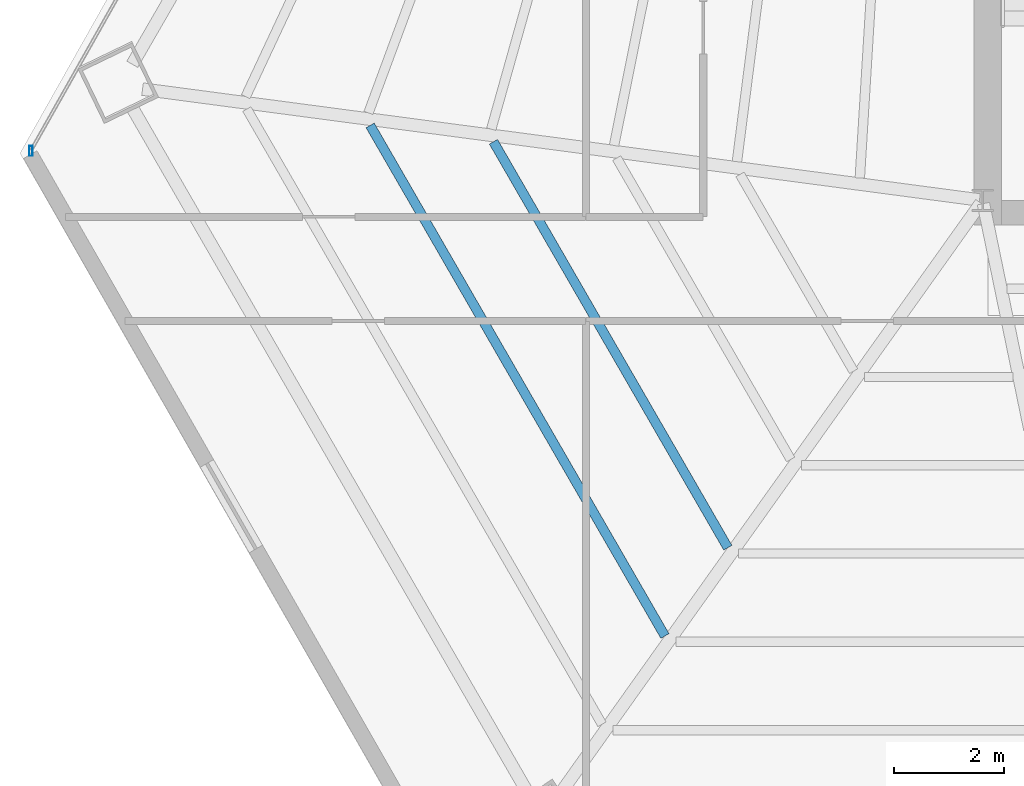
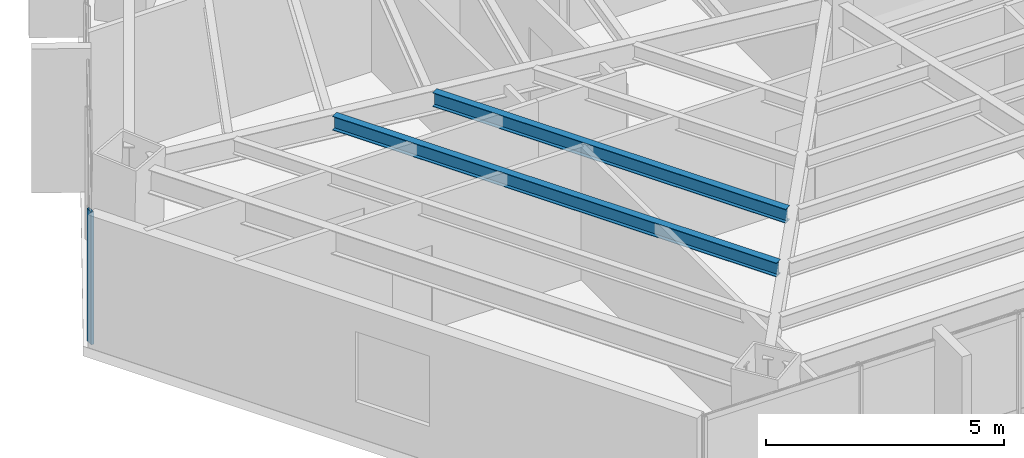
# One storey, part 6 of 35: 2 beams, 1 member, 1 element without a shape of its own.
"""IFC4 building model written with IfcOpenShell, lengths in metres."""

from ifc_helpers import new_model, si_unit, direction, frame, origin, origin_2d, place, context, subcontext, project, spatial, hollow_rectangle, i_section, extrude, source, transform, mapped, material, material_profile, profile_set, type_object, type_shapes, element, aggregate, save


model = new_model("IFC4")

# Units and contexts
model_context = context("Model", 3, precision=1e-05, world=origin(), true_north=direction((0.0, 1.0)))
body_context = subcontext(model_context, "Body", "Model", "MODEL_VIEW")
ifc_project = project(units=[si_unit("LENGTHUNIT", "METRE"), si_unit("AREAUNIT", "SQUARE_METRE"), si_unit("VOLUMEUNIT", "CUBIC_METRE"), si_unit("PLANEANGLEUNIT", "RADIAN"), si_unit("MASSUNIT", "GRAM", prefix="KILO")], contexts=[model_context])

# Site, building, storey
site_placement = place(None, origin())
site = spatial("IfcSite", under=ifc_project, at=site_placement, CompositionType="ELEMENT")
building_placement = place(site_placement, origin())
building = spatial("IfcBuilding", under=site, at=building_placement, Name="Caelisora Broadcast Tower", CompositionType="ELEMENT")
storey_placement = place(building_placement, frame((0.0, 0.0, 90.800048828125)))
storey = spatial("IfcBuildingStorey", under=building, at=storey_placement, Name="L23", CompositionType="ELEMENT", Elevation=90.800048828125)

# Beams
ifc_material_1 = material(Name="Steel Grade 350 (AS/NZS 3679.1)", Category="steel")
ifc_material_profile_1 = material_profile(ifc_material_1, i_section(OverallWidth=0.172119140625, OverallDepth=0.358642578125, WebThickness=0.008056640625, FlangeThickness=0.012939453125, at=origin_2d()), Name="Steel Grade 350 (AS/NZS 3679.1)")
ifc_profile_set_1 = profile_set([ifc_material_profile_1], Name="Steel Grade 350 (AS/NZS 3679.1)")
beam_type = type_object("IfcBeamType", Name="SB02", PredefinedType="JOIST", material=ifc_profile_set_1)
shared_shape_1 = source(origin(), body_context, "Body", "SweptSolid", [
    extrude(i_section(OverallWidth=0.172119140625, OverallDepth=0.358642578125, WebThickness=0.008056640625, FlangeThickness=0.012939453125, at=origin_2d()), origin(), (0.0, 0.0, 1.0), 8.553466796875),
])
beam_1_placement = place(storey_placement, frame((21.572021484375, 18.47021484375, 3.220703125), z_axis=(0.499979409258, -0.866037291529, 0.0), x_axis=(0.866037291529, 0.499979409258, 0.0)))
element("IfcBeam", 1, at=beam_1_placement, inside=storey, type_object=beam_type, Name="L23 beam SB02", PredefinedType="JOIST", context=body_context, shape_type="MappedRepresentation", body=[
    mapped(shared_shape_1, transform((0.0, 0.0, 0.0), scale=1.0)),
])
shared_shape_2 = source(origin(), body_context, "Body", "SweptSolid", [
    extrude(i_section(OverallWidth=0.172119140625, OverallDepth=0.358642578125, WebThickness=0.008056640625, FlangeThickness=0.012939453125, at=origin_2d()), origin(), (0.0, 0.0, 1.0), 10.7578125),
])
type_shapes(beam_type, [shared_shape_1, shared_shape_2])
beam_2_placement = place(storey_placement, frame((19.322265625, 18.768310546875, 3.220703125), z_axis=(0.499995512994, -0.866027994343, 0.0), x_axis=(0.866027994343, 0.499995512994, 0.0)))
element("IfcBeam", 2, at=beam_2_placement, inside=storey, type_object=beam_type, Name="L23 beam SB02", PredefinedType="JOIST", context=body_context, shape_type="MappedRepresentation", body=[
    mapped(shared_shape_2, transform((0.0, 0.0, 0.0), scale=1.0)),
])

# Curtain wall, member
ifc_material_2 = material(Name="Unitised Aluminium and Low-E Glass Curtain Wall", Category="glass")
curtain_wall_type = type_object("IfcCurtainWallType", Name="CW-Z2", PredefinedType="NOTDEFINED", material=ifc_material_2)
curtain_wall_placement = place(storey_placement, origin())
curtain_wall = element("IfcCurtainWall", 3, at=curtain_wall_placement, inside=storey, type_object=curtain_wall_type, Name="L23 curtain wall CW-Z2", PredefinedType="NOTDEFINED")
ifc_material_3 = material(Name="Aluminium 6063-T6 Anodised Terracotta Bronze", Category="aluminium")
ifc_material_profile_2 = material_profile(ifc_material_3, hollow_rectangle(XDim=0.06494140625, YDim=0.179931640625, WallThickness=0.00341796875, at=origin_2d()), Name="Aluminium 6063-T6 Anodised Terracotta Bronze")
ifc_profile_set_2 = profile_set([ifc_material_profile_2], Name="Aluminium 6063-T6 Anodised Terracotta Bronze")
member_type = type_object("IfcMemberType", Name="CWM-02", PredefinedType="MULLION", material=ifc_profile_set_2)
shared_shape_3 = source(origin(), body_context, "Body", "SweptSolid", [
    extrude(hollow_rectangle(XDim=0.06494140625, YDim=0.179931640625, WallThickness=0.00341796875, at=origin_2d()), origin(), (0.0, 0.0, 1.0), 3.39990234375),
])
type_shapes(member_type, [shared_shape_3])
member_placement = place(storey_placement, frame((13.130615234375, 18.304443359375, 0.0), z_axis=(0.0, 0.0, 1.0), x_axis=(1.0, 0.0, 0.0)))
member = element("IfcMember", 4, at=member_placement, type_object=member_type, Name="L23-CW-B09 mullion #0", PredefinedType="MULLION", context=body_context, shape_type="MappedRepresentation", body=[
    mapped(shared_shape_3, transform((0.0, 0.0, 0.0), scale=1.0)),
])
aggregate(curtain_wall, [member])

save(model, "model.ifc")
